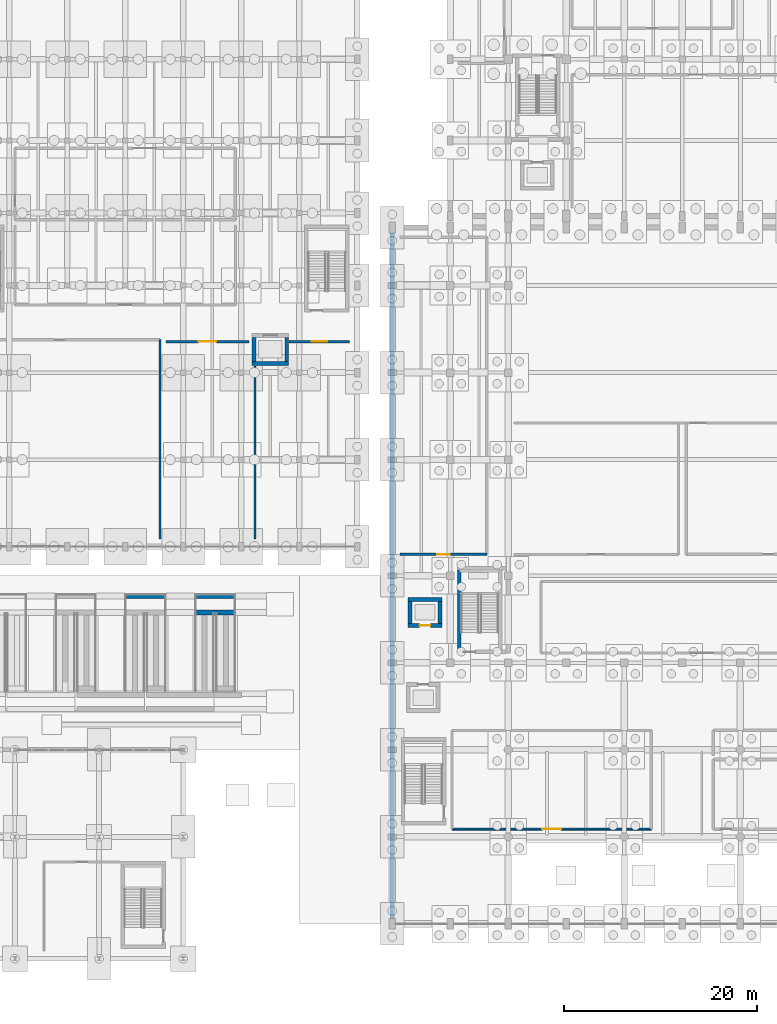
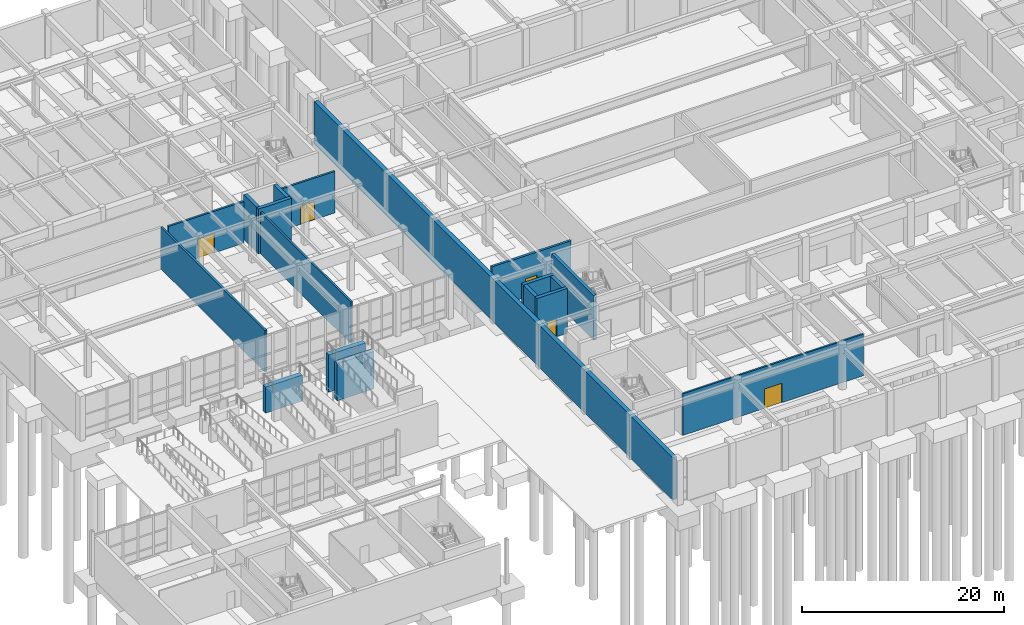
# One storey, part 48 of 69: 18 walls, 5 doors, 5 openings.
"""IFC4 building model written with IfcOpenShell, lengths in metres."""

from ifc_helpers import new_model, si_unit, direction, frame, frame_2d, origin, place, context, subcontext, project, spatial, rectangle, extrude, material, layer, layer_set, type_object, element, fill, save


model = new_model("IFC4")

# Units and contexts
model_context = context("Model", 3, precision=1e-05, world=origin(), true_north=direction((0.0, 1.0)))
body_context = subcontext(model_context, "Body", "Model", "MODEL_VIEW")
ifc_project = project(units=[si_unit("LENGTHUNIT", "METRE"), si_unit("AREAUNIT", "SQUARE_METRE"), si_unit("VOLUMEUNIT", "CUBIC_METRE"), si_unit("PLANEANGLEUNIT", "RADIAN"), si_unit("MASSUNIT", "GRAM", prefix="KILO")], contexts=[model_context])

# Site, building, storey
site_placement = place(None, origin())
site = spatial("IfcSite", under=ifc_project, at=site_placement, CompositionType="ELEMENT")
building_placement = place(site_placement, origin())
building = spatial("IfcBuilding", under=site, at=building_placement, Name="Vaelkrest Opera House", CompositionType="ELEMENT")
storey_placement = place(building_placement, frame((0.0, 0.0, -5.39990234375)))
storey = spatial("IfcBuildingStorey", under=building, at=storey_placement, Name="B1", CompositionType="ELEMENT", Elevation=-5.39990234375)

# Wall, opening, door
ifc_material_1 = material(Name="Gypsum acoustic board", Category="gypsum")
ifc_layer_1 = layer(ifc_material_1, 0.195068359375)
ifc_layer_set_1 = layer_set([ifc_layer_1], Name="Gypsum acoustic board")
wall_type_1 = type_object("IfcWallType", Name="PT06", PredefinedType="PARTITIONING", material=ifc_layer_set_1)
wall_1_placement = place(storey_placement, frame((-23.800048828125, -46.0, 0.0), z_axis=(0.0, 0.0, 1.0), x_axis=(1.0, 0.0, 0.0)))
wall_1 = element("IfcWall", 1, at=wall_1_placement, inside=storey, type_object=wall_type_1, Name="Interior partition PT-V1-B1-0006", PredefinedType="PARTITIONING", context=body_context, shape_type="SweptSolid", body=[
    extrude(rectangle(XDim=20.60009765625, YDim=0.195068359375, at=frame_2d((10.300048828125, 0.0))), origin(), (0.0, 0.0, 1.0), 5.02001953125),
])
opening_1_placement = place(wall_1_placement, frame((9.300048828125, 0.0, 0.0)))
opening_1 = element("IfcOpeningElement", 2, at=opening_1_placement, cuts=wall_1, Name="Opening D004", PredefinedType="OPENING", context=body_context, shape_type="SweptSolid", body=[
    extrude(rectangle(XDim=2.0, YDim=2.35009765625, at=frame_2d((1.0, 1.175048828125))), frame((0.0, 0.107421875, 0.0), z_axis=(0.0, -1.0, 0.0), x_axis=(1.0, 0.0, 0.0)), (0.0, 0.0, 1.0), 0.215087890625),
])
ifc_material_2 = material(Name="American black walnut acoustic timber", Category="wood")
door_type_1 = type_object("IfcDoorType", Name="DT16", OperationType="DOUBLE_DOOR_SINGLE_SWING", PredefinedType="DOOR", material=ifc_material_2)
door_1_placement = place(opening_1_placement, origin())
door_1 = element("IfcDoor", 3, at=door_1_placement, inside=storey, type_object=door_type_1, Name="Interior door D004 (Metro Concourse Foyer)", OperationType="DOUBLE_DOOR_SINGLE_SWING", OverallHeight=2.35009765625, OverallWidth=2.0, PredefinedType="DOOR", context=body_context, shape_type="SweptSolid", body=[
    extrude(rectangle(XDim=2.0, YDim=2.35009765625, at=frame_2d((1.0, 1.175048828125))), frame((0.0, 0.02490234375, 0.0), z_axis=(0.0, -1.0, 0.0), x_axis=(1.0, 0.0, 0.0)), (0.0, 0.0, 1.0), 0.050048828125),
])
fill(opening_1, door_1)

# Wall
ifc_layer_2 = layer(ifc_material_2, 0.2099609375)
ifc_layer_set_2 = layer_set([ifc_layer_2], Name="American black walnut acoustic timber")
wall_type_2 = type_object("IfcWallType", Name="PT07", PredefinedType="PARTITIONING", material=ifc_layer_set_2)
wall_2_placement = place(storey_placement, frame((-44.199951171875, -16.0, 0.0), z_axis=(0.0, 0.0, 1.0), x_axis=(0.0, 1.0, 0.0)))
element("IfcWall", 4, at=wall_2_placement, inside=storey, type_object=wall_type_2, Name="Interior partition PT-V3-B1-0275", PredefinedType="PARTITIONING", context=body_context, shape_type="SweptSolid", body=[
    extrude(rectangle(XDim=17.89990234375, YDim=0.2099609375, at=frame_2d((8.949951171875, 0.0))), origin(), (0.0, 0.0, 1.0), 5.02001953125),
])

# Wall, opening, door
ifc_layer_3 = layer(ifc_material_2, 0.22509765625)
ifc_layer_set_3 = layer_set([ifc_layer_3], Name="American black walnut acoustic timber")
wall_type_3 = type_object("IfcWallType", Name="PT08", PredefinedType="PARTITIONING", material=ifc_layer_set_3)
wall_3_placement = place(storey_placement, frame((-53.39990234375, 4.39990234375, 0.0), z_axis=(0.0, 0.0, 1.0), x_axis=(1.0, 0.0, 0.0)))
wall_3 = element("IfcWall", 5, at=wall_3_placement, inside=storey, type_object=wall_type_3, Name="Interior partition PT-V3-B1-0266", PredefinedType="PARTITIONING", context=body_context, shape_type="SweptSolid", body=[
    extrude(rectangle(XDim=8.599853515625, YDim=0.22509765625, at=frame_2d((4.2998046875, 0.0))), origin(), (0.0, 0.0, 1.0), 5.02001953125),
])
opening_2_placement = place(wall_3_placement, frame((3.375, 0.0, 0.0)))
opening_2 = element("IfcOpeningElement", 6, at=opening_2_placement, cuts=wall_3, Name="Opening D103", PredefinedType="OPENING", context=body_context, shape_type="SweptSolid", body=[
    extrude(rectangle(XDim=1.85009765625, YDim=2.300048828125, at=frame_2d((0.925048828125, 1.14990234375))), frame((0.0, 0.12255859375, 0.0), z_axis=(0.0, -1.0, 0.0), x_axis=(1.0, 0.0, 0.0)), (0.0, 0.0, 1.0), 0.2451171875),
])
door_type_2 = type_object("IfcDoorType", Name="DT15", OperationType="DOUBLE_DOOR_SINGLE_SWING", PredefinedType="DOOR", material=ifc_material_2)
door_2_placement = place(opening_2_placement, origin())
door_2 = element("IfcDoor", 7, at=door_2_placement, inside=storey, type_object=door_type_2, Name="Interior door D103 (Coaching Suite)", OperationType="DOUBLE_DOOR_SINGLE_SWING", OverallHeight=2.300048828125, OverallWidth=1.85009765625, PredefinedType="DOOR", context=body_context, shape_type="SweptSolid", body=[
    extrude(rectangle(XDim=1.85009765625, YDim=2.300048828125, at=frame_2d((0.925048828125, 1.14990234375))), frame((0.0, 0.02490234375, 0.0), z_axis=(0.0, -1.0, 0.0), x_axis=(1.0, 0.0, 0.0)), (0.0, 0.0, 1.0), 0.050048828125),
])
fill(opening_2, door_2)

wall_4_placement = place(storey_placement, frame((-40.64990234375, 4.39990234375, 0.0), z_axis=(0.0, 0.0, 1.0), x_axis=(1.0, 0.0, 0.0)))
wall_4 = element("IfcWall", 8, at=wall_4_placement, inside=storey, type_object=wall_type_3, Name="Interior partition PT-V3-B1-0274", PredefinedType="PARTITIONING", context=body_context, shape_type="SweptSolid", body=[
    extrude(rectangle(XDim=6.25, YDim=0.22509765625, at=frame_2d((3.125, 0.0))), origin(), (0.0, 0.0, 1.0), 5.02001953125),
])
opening_3_placement = place(wall_4_placement, frame((2.31494140625, 0.0, 0.0)))
opening_3 = element("IfcOpeningElement", 9, at=opening_3_placement, cuts=wall_4, Name="Opening D107", PredefinedType="OPENING", context=body_context, shape_type="SweptSolid", body=[
    extrude(rectangle(XDim=1.6201171875, YDim=2.199951171875, at=frame_2d((0.81005859375, 1.10009765625))), frame((0.0, 0.12255859375, 0.0), z_axis=(0.0, -1.0, 0.0), x_axis=(1.0, 0.0, 0.0)), (0.0, 0.0, 1.0), 0.2451171875),
])
door_type_3 = type_object("IfcDoorType", Name="DT19", OperationType="DOUBLE_DOOR_SINGLE_SWING", PredefinedType="DOOR", material=ifc_material_2)
door_3_placement = place(opening_3_placement, origin())
door_3 = element("IfcDoor", 10, at=door_3_placement, inside=storey, type_object=door_type_3, Name="Interior door D107 (Percussion Rehearsal Studio)", OperationType="DOUBLE_DOOR_SINGLE_SWING", OverallHeight=2.199951171875, OverallWidth=1.6201171875, PredefinedType="DOOR", context=body_context, shape_type="SweptSolid", body=[
    extrude(rectangle(XDim=1.6201171875, YDim=2.199951171875, at=frame_2d((0.81005859375, 1.10009765625))), frame((0.0, 0.02490234375, 0.0), z_axis=(0.0, -1.0, 0.0), x_axis=(1.0, 0.0, 0.0)), (0.0, 0.0, 1.0), 0.050048828125),
])
fill(opening_3, door_3)

# Wall
ifc_material_3 = material(Name="Concrete C40/50", Category="concrete")
ifc_layer_4 = layer(ifc_material_3, 0.239990234375)
ifc_layer_set_4 = layer_set([ifc_layer_4], Name="Concrete C40/50")
wall_type_4 = type_object("IfcWallType", Name="PT09", PredefinedType="PARTITIONING", material=ifc_layer_set_4)
wall_5_placement = place(storey_placement, frame((-54.0, -16.0, 0.0), z_axis=(0.0, 0.0, 1.0), x_axis=(0.0, 1.0, 0.0)))
element("IfcWall", 11, at=wall_5_placement, inside=storey, type_object=wall_type_4, Name="Interior partition PT-V3-B1-0265", PredefinedType="PARTITIONING", context=body_context, shape_type="SweptSolid", body=[
    extrude(rectangle(XDim=20.60009765625, YDim=0.239990234375, at=frame_2d((10.300048828125, 0.0))), origin(), (0.0, 0.0, 1.0), 5.02001953125),
])

# Wall, opening, door
ifc_layer_5 = layer(ifc_material_3, 0.260009765625)
ifc_layer_set_5 = layer_set([ifc_layer_5], Name="Concrete C40/50")
wall_type_5 = type_object("IfcWallType", Name="PT10", PredefinedType="PARTITIONING", material=ifc_layer_set_5)
wall_6_placement = place(storey_placement, frame((-29.199951171875, -17.60009765625, 0.0), z_axis=(0.0, 0.0, 1.0), x_axis=(1.0, 0.0, 0.0)))
wall_6 = element("IfcWall", 12, at=wall_6_placement, inside=storey, type_object=wall_type_5, Name="Interior partition PT-V1-B1-0020", PredefinedType="PARTITIONING", context=body_context, shape_type="SweptSolid", body=[
    extrude(rectangle(XDim=9.0, YDim=0.260009765625, at=frame_2d((4.5, 0.0))), origin(), (0.0, 0.0, 1.0), 5.02001953125),
])
opening_4_placement = place(wall_6_placement, frame((3.85009765625, 0.0, 0.0)))
opening_4 = element("IfcOpeningElement", 13, at=opening_4_placement, cuts=wall_6, Name="Opening D008", PredefinedType="OPENING", context=body_context, shape_type="SweptSolid", body=[
    extrude(rectangle(XDim=1.300048828125, YDim=2.25, at=frame_2d((0.64990234375, 1.125))), frame((0.0, 0.139892578125, 0.0), z_axis=(0.0, -1.0, 0.0), x_axis=(1.0, 0.0, 0.0)), (0.0, 0.0, 1.0), 0.280029296875),
])
door_type_4 = type_object("IfcDoorType", Name="DT09", OperationType="NOTDEFINED", PredefinedType="DOOR", material=ifc_material_2)
door_4_placement = place(opening_4_placement, origin())
door_4 = element("IfcDoor", 14, at=door_4_placement, inside=storey, type_object=door_type_4, Name="Interior door D008 (Scenery Store)", OperationType="SINGLE_SWING_LEFT", OverallHeight=2.25, OverallWidth=1.300048828125, PredefinedType="DOOR", context=body_context, shape_type="SweptSolid", body=[
    extrude(rectangle(XDim=1.300048828125, YDim=2.25, at=frame_2d((0.64990234375, 1.125))), frame((0.0, 0.02490234375, 0.0), z_axis=(0.0, -1.0, 0.0), x_axis=(1.0, 0.0, 0.0)), (0.0, 0.0, 1.0), 0.050048828125),
])
fill(opening_4, door_4)

# Walls
ifc_layer_6 = layer(ifc_material_3, 0.47998046875)
ifc_layer_set_6 = layer_set([ifc_layer_6], Name="Concrete C40/50")
wall_type_6 = type_object("IfcWallType", Name="RW02", PredefinedType="USERDEFINED", material=ifc_layer_set_6)
wall_7_placement = place(storey_placement, frame((-30.0, -55.25, 0.0), z_axis=(0.0, 0.0, 1.0), x_axis=(0.0, 1.0, 0.0)))
element("IfcWall", 15, at=wall_7_placement, inside=storey, type_object=wall_type_6, Name="Retaining wall RW-V1-W", ObjectType="RETAINING WALL", PredefinedType="USERDEFINED", context=body_context, shape_type="SweptSolid", body=[
    extrude(rectangle(XDim=70.89990234375, YDim=0.47998046875, at=frame_2d((35.449951171875, 0.0))), origin(), (0.0, 0.0, 1.0), 5.10986328125),
])
ifc_material_4 = material(Name="Concrete C50/60", Category="concrete")
ifc_layer_7 = layer(ifc_material_4, 0.35009765625)
ifc_layer_set_7 = layer_set([ifc_layer_7], Name="Concrete C50/60")
wall_type_7 = type_object("IfcWallType", Name="SW01", PredefinedType="SHEAR", material=ifc_layer_set_7)
wall_8_placement = place(storey_placement, frame((-23.074951171875, -27.5, 0.0), z_axis=(0.0, 0.0, 1.0), x_axis=(0.0, 1.0, 0.0)))
element("IfcWall", 16, at=wall_8_placement, inside=storey, type_object=wall_type_7, Name="Stair core ST01 wall B1 W", PredefinedType="SHEAR", context=body_context, shape_type="SweptSolid", body=[
    extrude(rectangle(XDim=8.300048828125, YDim=0.35009765625, at=frame_2d((4.14990234375, 0.0))), origin(), (0.0, 0.0, 1.0), 5.39990234375),
])

# Wall, opening, door
ifc_layer_8 = layer(ifc_material_4, 0.389892578125)
ifc_layer_set_8 = layer_set([ifc_layer_8], Name="Concrete C50/60")
wall_type_8 = type_object("IfcWallType", Name="SW02", PredefinedType="SHEAR", material=ifc_layer_set_8)
wall_9_placement = place(storey_placement, frame((-24.860107421875, -24.945068359375, 0.0), z_axis=(0.0, 0.0, 1.0), x_axis=(-1.0, 0.0, 0.0)))
wall_9 = element("IfcWall", 17, at=wall_9_placement, inside=storey, type_object=wall_type_8, Name="Lift shaft LP01 wall B1 S", PredefinedType="SHEAR", context=body_context, shape_type="SweptSolid", body=[
    extrude(rectangle(XDim=3.47998046875, YDim=0.389892578125, at=frame_2d((1.739990234375, 0.0))), origin(), (0.0, 0.0, 1.0), 5.39990234375),
])
opening_5_placement = place(wall_9_placement, frame((1.18994140625, 0.0, 0.0)))
opening_5 = element("IfcOpeningElement", 18, at=opening_5_placement, cuts=wall_9, Name="Opening LD-LP01-B1", PredefinedType="OPENING", context=body_context, shape_type="SweptSolid", body=[
    extrude(rectangle(XDim=1.10009765625, YDim=2.14990234375, at=frame_2d((0.550048828125, 1.074951171875))), frame((0.0, 0.204833984375, 0.0), z_axis=(0.0, -1.0, 0.0), x_axis=(1.0, 0.0, 0.0)), (0.0, 0.0, 1.0), 0.409912109375),
])
ifc_material_5 = material(Name="Dark bronze anodized aluminium", Category="aluminium")
door_type_5 = type_object("IfcDoorType", Name="LDT01", OperationType="SLIDING_TO_LEFT", PredefinedType="DOOR", material=ifc_material_5)
door_5_placement = place(opening_5_placement, origin())
door_5 = element("IfcDoor", 19, at=door_5_placement, inside=storey, type_object=door_type_5, Name="Lift landing sliding door LD-LP01-B1", OperationType="SLIDING_TO_LEFT", OverallHeight=2.14990234375, OverallWidth=1.10009765625, PredefinedType="DOOR", context=body_context, shape_type="SweptSolid", body=[
    extrude(rectangle(XDim=1.10009765625, YDim=2.14990234375, at=frame_2d((0.550048828125, 1.074951171875))), frame((0.0, 0.02490234375, 0.0), z_axis=(0.0, -1.0, 0.0), x_axis=(1.0, 0.0, 0.0)), (0.0, 0.0, 1.0), 0.050048828125),
])
fill(opening_5, door_5)

# Walls
wall_10_placement = place(storey_placement, frame((-28.340087890625, -22.2548828125, 0.0), z_axis=(0.0, 0.0, 1.0), x_axis=(1.0, 0.0, 0.0)))
element("IfcWall", 20, at=wall_10_placement, inside=storey, type_object=wall_type_8, Name="Lift shaft LP01 wall B1 N", PredefinedType="SHEAR", context=body_context, shape_type="SweptSolid", body=[
    extrude(rectangle(XDim=3.47998046875, YDim=0.389892578125, at=frame_2d((1.739990234375, 0.0))), origin(), (0.0, 0.0, 1.0), 5.39990234375),
])
for number, where, z_axis, x_axis, name in (
    (21, (-28.14501953125, -24.75, 0.0), (0.0, 0.0, 1.0), (0.0, 1.0, 0.0), "Lift shaft LP01 wall B1 W"),
    (22, (-25.054931640625, -22.449951171875, 0.0), (0.0, 0.0, 1.0), (0.0, -1.0, 0.0), "Lift shaft LP01 wall B1 E"),
):
    element("IfcWall", number, at=place(storey_placement, frame(where, z_axis=z_axis, x_axis=x_axis)), inside=storey, type_object=wall_type_8, Name=name, PredefinedType="SHEAR", context=body_context, shape_type="SweptSolid", body=[
        extrude(rectangle(XDim=2.300048828125, YDim=0.389892578125, at=frame_2d((1.14990234375, 0.0))), origin(), (0.0, 0.0, 1.0), 5.39990234375),
    ])
wall_11_placement = place(storey_placement, frame((-40.7099609375, 2.155029296875, 0.0), z_axis=(0.0, 0.0, 1.0), x_axis=(-1.0, 0.0, 0.0)))
element("IfcWall", 23, at=wall_11_placement, inside=storey, type_object=wall_type_8, Name="Lift shaft LP05 wall B1 S", PredefinedType="SHEAR", context=body_context, shape_type="SweptSolid", body=[
    extrude(rectangle(XDim=3.780029296875, YDim=0.389892578125, at=frame_2d((1.89013671875, 0.0))), origin(), (0.0, 0.0, 1.0), 5.39990234375),
])
for number, where, z_axis, x_axis, name in (
    (24, (-44.294921875, 2.35009765625, 0.0), (0.0, 0.0, 1.0), (0.0, 1.0, 0.0), "Lift shaft LP05 wall B1 W"),
    (25, (-40.905029296875, 4.85009765625, 0.0), (0.0, 0.0, 1.0), (0.0, -1.0, 0.0), "Lift shaft LP05 wall B1 E"),
):
    element("IfcWall", number, at=place(storey_placement, frame(where, z_axis=z_axis, x_axis=x_axis)), inside=storey, type_object=wall_type_8, Name=name, PredefinedType="SHEAR", context=body_context, shape_type="SweptSolid", body=[
        extrude(rectangle(XDim=2.5, YDim=0.389892578125, at=frame_2d((1.25, 0.0))), origin(), (0.0, 0.0, 1.0), 5.39990234375),
    ])
ifc_layer_9 = layer(ifc_material_4, 0.52001953125)
ifc_layer_set_9 = layer_set([ifc_layer_9], Name="Concrete C50/60")
wall_type_9 = type_object("IfcWallType", Name="SW04", PredefinedType="SHEAR", material=ifc_layer_set_9)
wall_12_placement = place(storey_placement, frame((-57.60009765625, -21.89990234375, 0.0), z_axis=(0.0, 0.0, 1.0), x_axis=(1.0, 0.0, 0.0)))
element("IfcWall", 26, at=wall_12_placement, inside=storey, type_object=wall_type_9, Name="Ramp mid far support wall RMP-FC-3", PredefinedType="SHEAR", context=body_context, shape_type="SweptSolid", body=[
    extrude(rectangle(XDim=4.2001953125, YDim=0.52001953125, at=frame_2d((2.10009765625, 0.0))), origin(), (0.0, 0.0, 1.0), 3.14990234375),
])
for number, where, z_axis, x_axis, name in (
    (27, (-50.39990234375, -23.60009765625, 0.0), (0.0, 0.0, 1.0), (1.0, 0.0, 0.0), "Ramp mid north support wall RMP-FC-4"),
    (28, (-50.39990234375, -21.89990234375, 0.0), (0.0, 0.0, 1.0), (1.0, 0.0, 0.0), "Ramp mid far support wall RMP-FC-4"),
):
    element("IfcWall", number, at=place(storey_placement, frame(where, z_axis=z_axis, x_axis=x_axis)), inside=storey, type_object=wall_type_9, Name=name, PredefinedType="SHEAR", context=body_context, shape_type="SweptSolid", body=[
        extrude(rectangle(XDim=4.199951171875, YDim=0.52001953125, at=frame_2d((2.10009765625, 0.0))), origin(), (0.0, 0.0, 1.0), 4.5),
    ])

save(model, "model.ifc")
